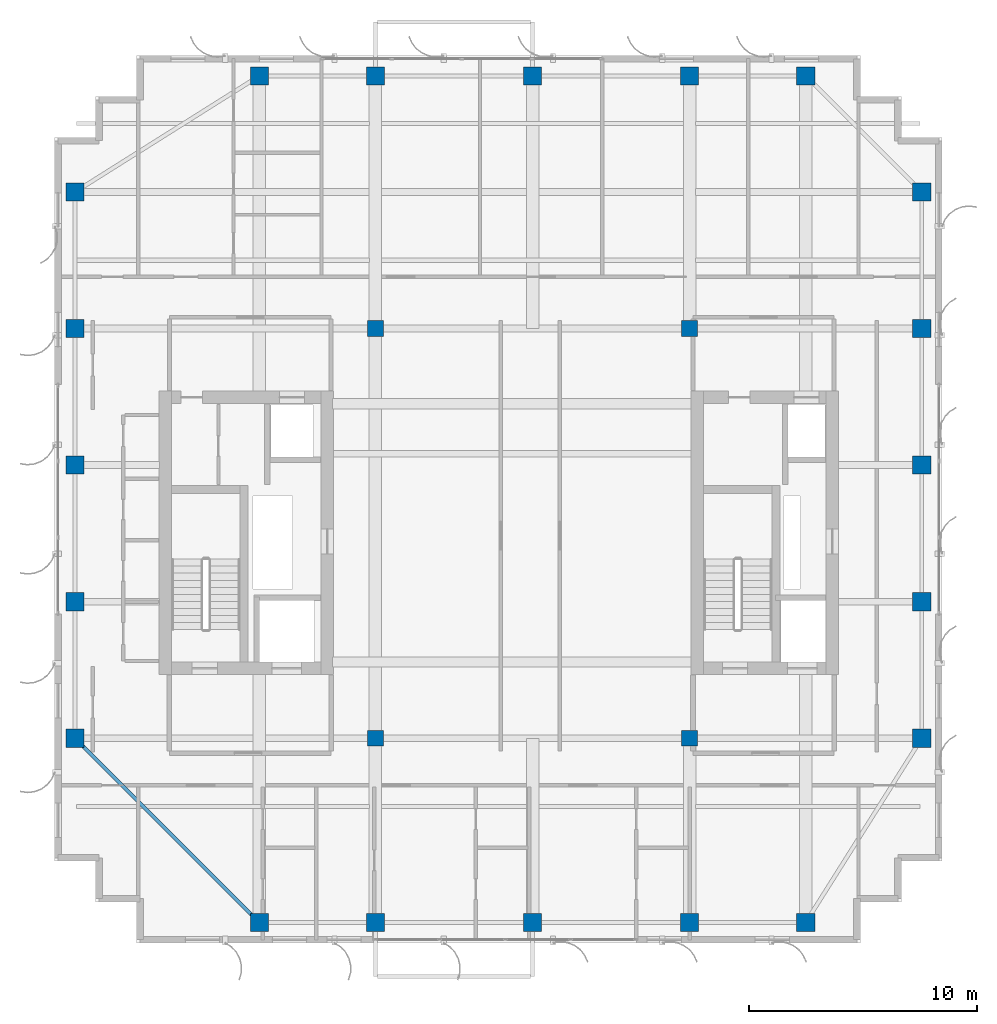
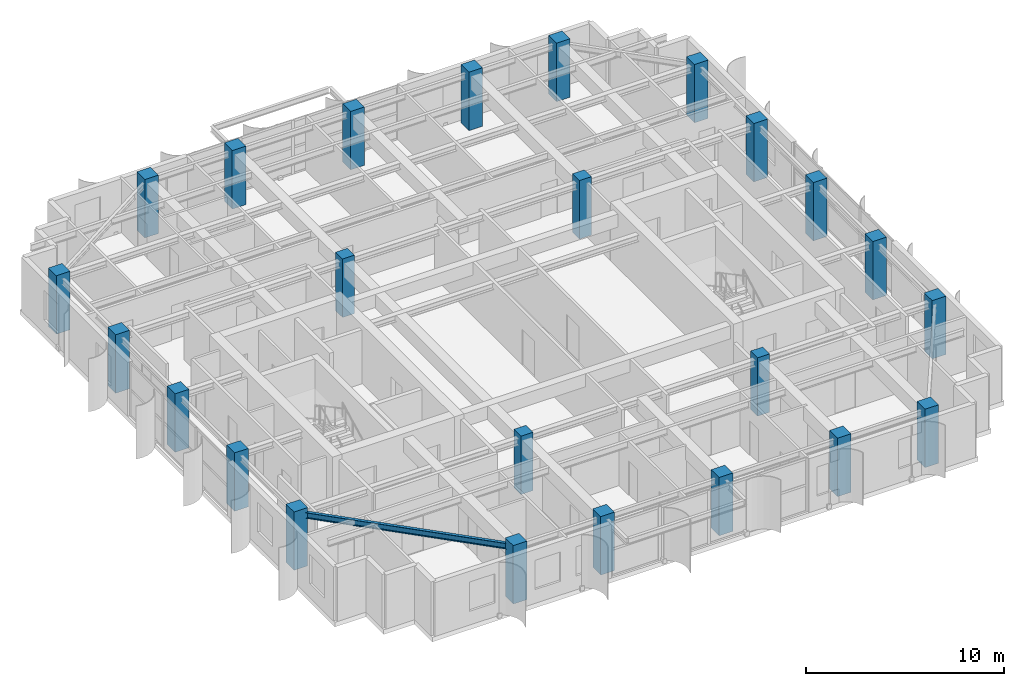
# One storey, part 1 of 23: 24 columns, 1 beam.
"""IFC4 building model written with IfcOpenShell, lengths in metres."""

from ifc_helpers import new_model, si_unit, direction, frame, origin, origin_2d, place, context, subcontext, project, spatial, rectangle, i_section, extrude, source, transform, mapped, material, material_profile, profile_set, type_object, element, save


model = new_model("IFC4")

# Units and contexts
model_context = context("Model", 3, precision=1e-05, world=origin(), true_north=direction((0.0, 1.0)))
body_context = subcontext(model_context, "Body", "Model", "MODEL_VIEW")
ifc_project = project(units=[si_unit("LENGTHUNIT", "METRE"), si_unit("AREAUNIT", "SQUARE_METRE"), si_unit("VOLUMEUNIT", "CUBIC_METRE"), si_unit("PLANEANGLEUNIT", "RADIAN"), si_unit("MASSUNIT", "GRAM", prefix="KILO")], contexts=[model_context])

# Site, building, storey
site_placement = place(None, origin())
site = spatial("IfcSite", under=ifc_project, at=site_placement, CompositionType="ELEMENT")
building_placement = place(site_placement, origin())
building = spatial("IfcBuilding", under=site, at=building_placement, Name="Khoralis Quay Care Tower", CompositionType="ELEMENT")
storey_placement = place(building_placement, frame((0.0, 0.0, 270.89990234375)))
storey = spatial("IfcBuildingStorey", under=building, at=storey_placement, Name="L71", CompositionType="ELEMENT", Elevation=270.89990234375)

# Columns
ifc_material_1 = material(Name="Concrete C50/60", Category="concrete")
ifc_material_profile_1 = material_profile(ifc_material_1, rectangle(XDim=0.800048828125, YDim=0.800048828125, at=origin_2d()), Name="Concrete C50/60")
ifc_profile_set_1 = profile_set([ifc_material_profile_1], Name="Concrete C50/60")
column_type_1 = type_object("IfcColumnType", Name="COL-C800", PredefinedType="COLUMN", material=ifc_profile_set_1)
shared_shape_1 = source(origin(), body_context, "Body", "SweptSolid", [
    extrude(rectangle(XDim=0.800048828125, YDim=0.800048828125, at=origin_2d()), origin(), (0.0, 0.0, 1.0), 3.60009765625),
])
for number, where, z_axis, x_axis, name in (
    (1, (12.0, 3.89990234375, 0.0), (0.0, 0.0, 1.0), (1.0, 0.0, 0.0), "COL-TWR-L71-01"),
    (2, (12.0, 41.10009765625, 0.0), (0.0, 0.0, 1.0), (1.0, 0.0, 0.0), "COL-TWR-L71-02"),
    (3, (17.10009765625, 3.89990234375, 0.0), (0.0, 0.0, 1.0), (1.0, 0.0, 0.0), "COL-TWR-L71-03"),
    (4, (17.10009765625, 41.10009765625, 0.0), (0.0, 0.0, 1.0), (1.0, 0.0, 0.0), "COL-TWR-L71-04"),
    (5, (24.0, 3.89990234375, 0.0), (0.0, 0.0, 1.0), (1.0, 0.0, 0.0), "COL-TWR-L71-05"),
    (6, (24.0, 41.10009765625, 0.0), (0.0, 0.0, 1.0), (1.0, 0.0, 0.0), "COL-TWR-L71-06"),
    (7, (30.89990234375, 3.89990234375, 0.0), (0.0, 0.0, 1.0), (1.0, 0.0, 0.0), "COL-TWR-L71-07"),
    (8, (30.89990234375, 41.10009765625, 0.0), (0.0, 0.0, 1.0), (1.0, 0.0, 0.0), "COL-TWR-L71-08"),
    (9, (36.0, 3.89990234375, 0.0), (0.0, 0.0, 1.0), (1.0, 0.0, 0.0), "COL-TWR-L71-09"),
    (10, (36.0, 41.10009765625, 0.0), (0.0, 0.0, 1.0), (1.0, 0.0, 0.0), "COL-TWR-L71-10"),
    (11, (3.89990234375, 12.0, 0.0), (0.0, 0.0, 1.0), (1.0, 0.0, 0.0), "COL-TWR-L71-11"),
    (12, (41.10009765625, 12.0, 0.0), (0.0, 0.0, 1.0), (1.0, 0.0, 0.0), "COL-TWR-L71-12"),
    (13, (3.89990234375, 18.0, 0.0), (0.0, 0.0, 1.0), (1.0, 0.0, 0.0), "COL-TWR-L71-13"),
    (14, (41.10009765625, 18.0, 0.0), (0.0, 0.0, 1.0), (1.0, 0.0, 0.0), "COL-TWR-L71-14"),
    (15, (3.89990234375, 24.0, 0.0), (0.0, 0.0, 1.0), (1.0, 0.0, 0.0), "COL-TWR-L71-15"),
    (16, (41.10009765625, 24.0, 0.0), (0.0, 0.0, 1.0), (1.0, 0.0, 0.0), "COL-TWR-L71-16"),
    (17, (3.89990234375, 30.0, 0.0), (0.0, 0.0, 1.0), (1.0, 0.0, 0.0), "COL-TWR-L71-17"),
    (18, (41.10009765625, 30.0, 0.0), (0.0, 0.0, 1.0), (1.0, 0.0, 0.0), "COL-TWR-L71-18"),
    (19, (3.89990234375, 36.0, 0.0), (0.0, 0.0, 1.0), (1.0, 0.0, 0.0), "COL-TWR-L71-19"),
    (20, (41.10009765625, 36.0, 0.0), (0.0, 0.0, 1.0), (1.0, 0.0, 0.0), "COL-TWR-L71-20"),
):
    element("IfcColumn", number, at=place(storey_placement, frame(where, z_axis=z_axis, x_axis=x_axis)), inside=storey, type_object=column_type_1, Name=name, PredefinedType="COLUMN", context=body_context, shape_type="MappedRepresentation", body=[
        mapped(shared_shape_1, transform((0.0, 0.0, 0.0), scale=1.0)),
    ])
ifc_material_profile_2 = material_profile(ifc_material_1, rectangle(XDim=0.699951171875, YDim=0.699951171875, at=origin_2d()), Name="Concrete C50/60")
ifc_profile_set_2 = profile_set([ifc_material_profile_2], Name="Concrete C50/60")
column_type_2 = type_object("IfcColumnType", Name="COL-C700", PredefinedType="COLUMN", material=ifc_profile_set_2)
shared_shape_2 = source(origin(), body_context, "Body", "SweptSolid", [
    extrude(rectangle(XDim=0.699951171875, YDim=0.699951171875, at=origin_2d()), origin(), (0.0, 0.0, 1.0), 3.60009765625),
])
for number, where, z_axis, x_axis, name in (
    (21, (17.10009765625, 12.0, 0.0), (0.0, 0.0, 1.0), (1.0, 0.0, 0.0), "COL-TWR-L71-21"),
    (22, (17.10009765625, 30.0, 0.0), (0.0, 0.0, 1.0), (1.0, 0.0, 0.0), "COL-TWR-L71-22"),
    (23, (30.89990234375, 12.0, 0.0), (0.0, 0.0, 1.0), (1.0, 0.0, 0.0), "COL-TWR-L71-23"),
    (24, (30.89990234375, 30.0, 0.0), (0.0, 0.0, 1.0), (1.0, 0.0, 0.0), "COL-TWR-L71-24"),
):
    element("IfcColumn", number, at=place(storey_placement, frame(where, z_axis=z_axis, x_axis=x_axis)), inside=storey, type_object=column_type_2, Name=name, PredefinedType="COLUMN", context=body_context, shape_type="MappedRepresentation", body=[
        mapped(shared_shape_2, transform((0.0, 0.0, 0.0), scale=1.0)),
    ])

# Beam
ifc_material_2 = material(Name="Steel S355", Category="steel")
ifc_material_profile_3 = material_profile(ifc_material_2, i_section(OverallWidth=0.169921875, OverallDepth=0.360107421875, WebThickness=0.008056640625, FlangeThickness=0.0126953125, FilletRadius=0.01806640625, at=origin_2d()), Name="Steel S355")
ifc_profile_set_3 = profile_set([ifc_material_profile_3], Name="Steel S355")
beam_type = type_object("IfcBeamType", Name="BM-IPE360", PredefinedType="SPANDREL", material=ifc_profile_set_3)
shared_shape_3 = source(origin(), body_context, "Body", "SweptSolid", [
    extrude(i_section(OverallWidth=0.169921875, OverallDepth=0.360107421875, WebThickness=0.008056640625, FlangeThickness=0.0126953125, FilletRadius=0.01806640625, at=origin_2d()), origin(), (0.0, 0.0, 1.0), 11.455322265625),
])
beam_placement = place(storey_placement, frame((12.0, 3.89990234375, 3.14013671875), z_axis=(-0.707106781187, 0.707106781187, 0.0), x_axis=(-0.707106781187, -0.707106781187, 0.0)))
element("IfcBeam", 25, at=beam_placement, inside=storey, type_object=beam_type, Name="BM-TCR-L71-17", PredefinedType="SPANDREL", context=body_context, shape_type="MappedRepresentation", body=[
    mapped(shared_shape_3, transform((0.0, 0.0, 0.0), scale=1.0)),
])

save(model, "model.ifc")
